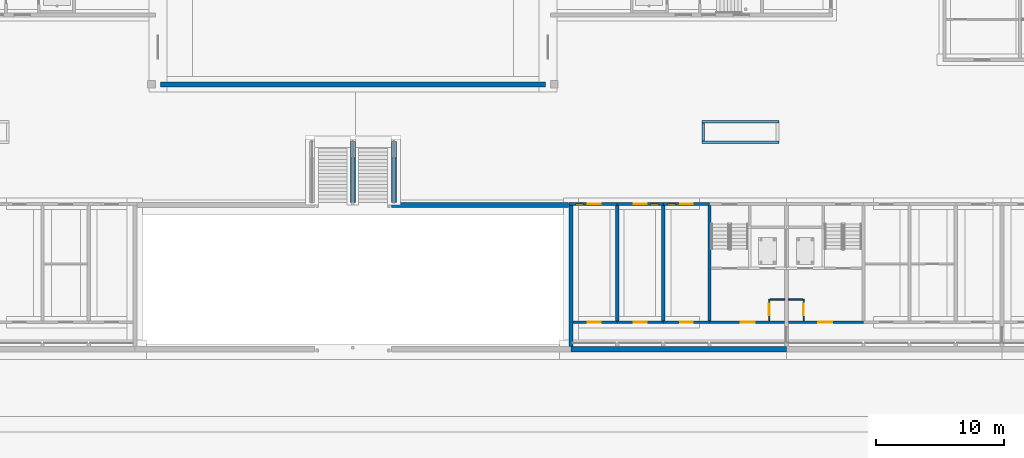
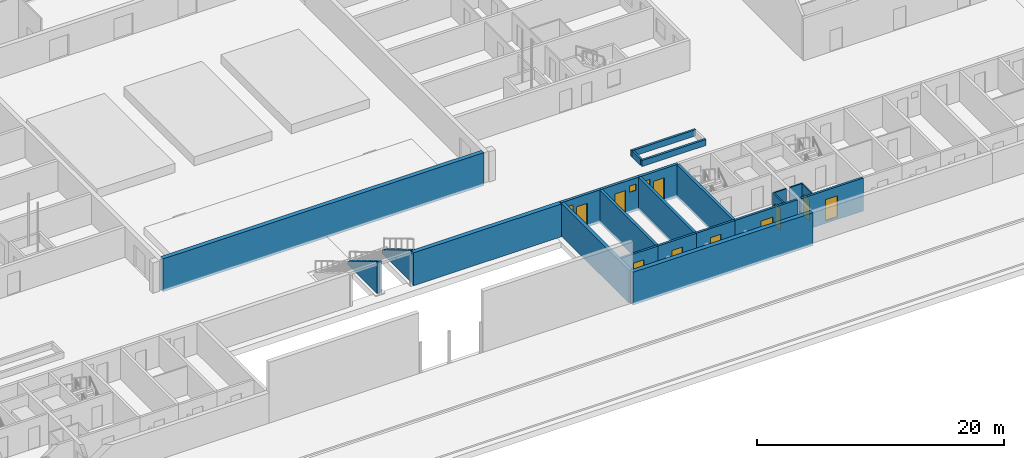
# One storey, part 54 of 112: 24 walls, 10 doors, 3 windows, 13 openings.
"""IFC4 building model written with IfcOpenShell, lengths in metres."""

from ifc_helpers import new_model, si_unit, direction, frame, frame_2d, origin, place, context, subcontext, project, spatial, polyline, rectangle, outline, extrude, material, layer, layer_set, type_object, element, fill, save


model = new_model("IFC4")

# Units and contexts
model_context = context("Model", 3, precision=1e-05, world=origin(), true_north=direction((0.0, 1.0)))
body_context = subcontext(model_context, "Body", "Model", "MODEL_VIEW")
ifc_project = project(units=[si_unit("LENGTHUNIT", "METRE"), si_unit("AREAUNIT", "SQUARE_METRE"), si_unit("VOLUMEUNIT", "CUBIC_METRE"), si_unit("PLANEANGLEUNIT", "RADIAN"), si_unit("MASSUNIT", "GRAM", prefix="KILO")], contexts=[model_context])

# Site, building, storey
site_placement = place(None, origin())
site = spatial("IfcSite", under=ifc_project, at=site_placement, CompositionType="ELEMENT")
building_placement = place(site_placement, origin())
building = spatial("IfcBuilding", under=site, at=building_placement, Name="Ridgestep Commons", CompositionType="ELEMENT")
storey_placement = place(building_placement, origin())
storey = spatial("IfcBuildingStorey", under=building, at=storey_placement, Name="L00", CompositionType="ELEMENT", Elevation=0.0)

# Walls
ifc_material_1 = material(Name="Concrete C30/37", Category="concrete")
ifc_layer_1 = layer(ifc_material_1, 0.199951171875)
ifc_layer_set_1 = layer_set([ifc_layer_1], Name="Community planter wall 200")
wall_type_1 = type_object("IfcWallType", Name="Community planter wall 200", PredefinedType="SOLIDWALL", material=ifc_layer_set_1)
for number, where, z_axis, x_axis, name in (
    (1, (157.0, 27.699951171875, 0.0), (0.0, 0.0, 1.0), (1.0, 0.0, 0.0), "Planter wall"),
    (2, (157.0, 29.300048828125, 0.0), (0.0, 0.0, 1.0), (1.0, 0.0, 0.0), "Planter wall"),
):
    element("IfcWall", number, at=place(storey_placement, frame(where, z_axis=z_axis, x_axis=x_axis)), inside=storey, type_object=wall_type_1, Name=name, PredefinedType="SOLIDWALL", context=body_context, shape_type="SweptSolid", body=[
        extrude(rectangle(XDim=6.0, YDim=0.199951171875, at=frame_2d((3.0, 0.0))), origin(), (0.0, 0.0, 1.0), 0.60009765625),
    ])
wall_1_placement = place(storey_placement, frame((157.10009765625, 27.800048828125, 0.0), z_axis=(0.0, 0.0, 1.0), x_axis=(0.0, 1.0, 0.0)))
element("IfcWall", 3, at=wall_1_placement, inside=storey, type_object=wall_type_1, Name="Planter wall", PredefinedType="SOLIDWALL", context=body_context, shape_type="SweptSolid", body=[
    extrude(rectangle(XDim=1.39990234375, YDim=0.199951171875, at=frame_2d((0.699951171875, 0.0))), origin(), (0.0, 0.0, 1.0), 0.60009765625),
])
ifc_material_2 = material(Name="Concrete C30/37", Category="concrete")
ifc_layer_2 = layer(ifc_material_2, 0.39990234375)
ifc_layer_set_2 = layer_set([ifc_layer_2], Name="Community retaining wall 400")
wall_type_2 = type_object("IfcWallType", Name="Community retaining wall 400", PredefinedType="SOLIDWALL", material=ifc_layer_set_2)
wall_2_placement = place(storey_placement, frame((132.800048828125, 22.800048828125, -0.25), z_axis=(0.0, 0.0, 1.0), x_axis=(1.0, 0.0, 0.0)))
element("IfcWall", 4, at=wall_2_placement, inside=storey, type_object=wall_type_2, Name="Community retaining wall 400", PredefinedType="SOLIDWALL", context=body_context, shape_type="SweptSolid", body=[
    extrude(rectangle(XDim=13.800048828125, YDim=0.39990234375, at=frame_2d((6.89990234375, 0.0))), origin(), (0.0, 0.0, 1.0), 3.25),
])
for number, where, z_axis, x_axis, name in (
    (5, (133.0, 23.0, -0.14990234375), (0.0, 0.0, 1.0), (0.0, 1.0, 0.0), "Stair cheek wall"),
    (6, (129.800048828125, 23.0, -0.14990234375), (0.0, 0.0, 1.0), (0.0, 1.0, 0.0), "Stair spine wall"),
):
    element("IfcWall", number, at=place(storey_placement, frame(where, z_axis=z_axis, x_axis=x_axis)), inside=storey, type_object=wall_type_2, Name=name, PredefinedType="SOLIDWALL", context=body_context, shape_type="SweptSolid", body=[
        extrude(outline(polyline([(0.0, 0.0), (4.760009765625, 0.0), (4.760009765625, 0.316650390625), (0.0, 3.14990234375), (0.0, 0.0)])), frame((0.0, 0.199951171875, 0.0), z_axis=(0.0, -1.0, 0.0), x_axis=(1.0, 0.0, 0.0)), (0.0, 0.0, 1.0), 0.39990234375),
    ])
ifc_material_3 = material(Name="Concrete C30/37", Category="concrete")
ifc_layer_3 = layer(ifc_material_3, 0.25)
ifc_layer_set_3 = layer_set([ifc_layer_3], Name="Core cross wall 250")
wall_type_3 = type_object("IfcWallType", Name="Core cross wall 250", PredefinedType="SHEAR", material=ifc_layer_set_3)
wall_3_placement = place(storey_placement, frame((157.60009765625, 13.75, -0.25), z_axis=(0.0, 0.0, 1.0), x_axis=(0.0, 1.0, 0.0)))
element("IfcWall", 7, at=wall_3_placement, inside=storey, type_object=wall_type_3, Name="Cross wall D-00-1576", PredefinedType="SHEAR", context=body_context, shape_type="SweptSolid", body=[
    extrude(rectangle(XDim=9.0, YDim=0.25, at=frame_2d((4.5, 0.0))), origin(), (0.0, 0.0, 1.0), 3.25),
])

# Wall, opening, door
ifc_material_4 = material(Name="Concrete C30/37", Category="concrete")
ifc_layer_4 = layer(ifc_material_4, 0.199951171875)
ifc_layer_set_4 = layer_set([ifc_layer_4], Name="Core south wall 200")
wall_type_4 = type_object("IfcWallType", Name="Core south wall 200", PredefinedType="SHEAR", material=ifc_layer_set_4)
wall_4_placement = place(storey_placement, frame((157.60009765625, 13.64990234375, -0.25), z_axis=(0.0, 0.0, 1.0), x_axis=(1.0, 0.0, 0.0)))
wall_4 = element("IfcWall", 8, at=wall_4_placement, inside=storey, type_object=wall_type_4, Name="Core south wall D1C L00", PredefinedType="SHEAR", context=body_context, shape_type="SweptSolid", body=[
    extrude(rectangle(XDim=5.849853515625, YDim=0.199951171875, at=frame_2d((2.9248046875, 0.0))), origin(), (0.0, 0.0, 1.0), 3.25),
])
opening_1_placement = place(wall_4_placement, frame((2.4375, 0.0, 0.25)))
opening_1 = element("IfcOpeningElement", 9, at=opening_1_placement, cuts=wall_4, Name="Opening D1C/00/1", PredefinedType="OPENING", context=body_context, shape_type="SweptSolid", body=[
    extrude(rectangle(XDim=1.10009765625, YDim=2.10009765625, at=frame_2d((0.550048828125, 1.050048828125))), frame((0.0, 0.10986328125, 0.0), z_axis=(0.0, -1.0, 0.0), x_axis=(1.0, 0.0, 0.0)), (0.0, 0.0, 1.0), 0.219970703125),
])
ifc_material_5 = material(Name="Steel fire door", Category="steel")
door_type_1 = type_object("IfcDoorType", Name="Lobby door 1100 x 2100 FD60", OperationType="NOTDEFINED", PredefinedType="DOOR", material=ifc_material_5)
door_1_placement = place(opening_1_placement, origin())
door_1 = element("IfcDoor", 10, at=door_1_placement, inside=storey, type_object=door_type_1, Name="Lobby door D1C/00/1", OperationType="SINGLE_SWING_LEFT", OverallHeight=2.10009765625, OverallWidth=1.10009765625, PredefinedType="DOOR", context=body_context, shape_type="SweptSolid", body=[
    extrude(rectangle(XDim=1.10009765625, YDim=2.10009765625, at=frame_2d((0.550048828125, 1.050048828125))), frame((0.0, 0.02490234375, 0.0), z_axis=(0.0, -1.0, 0.0), x_axis=(1.0, 0.0, 0.0)), (0.0, 0.0, 1.0), 0.050048828125),
])
fill(opening_1, door_1)

wall_5_placement = place(storey_placement, frame((163.75, 13.64990234375, -0.25), z_axis=(0.0, 0.0, 1.0), x_axis=(1.0, 0.0, 0.0)))
wall_5 = element("IfcWall", 11, at=wall_5_placement, inside=storey, type_object=wall_type_4, Name="Core south wall D2C L00", PredefinedType="SHEAR", context=body_context, shape_type="SweptSolid", body=[
    extrude(rectangle(XDim=5.85009765625, YDim=0.199951171875, at=frame_2d((2.925048828125, 0.0))), origin(), (0.0, 0.0, 1.0), 3.25),
])
opening_2_placement = place(wall_5_placement, frame((2.3125, 0.0, 0.25)))
opening_2 = element("IfcOpeningElement", 12, at=opening_2_placement, cuts=wall_5, Name="Opening D2C/00/1", PredefinedType="OPENING", context=body_context, shape_type="SweptSolid", body=[
    extrude(rectangle(XDim=1.10009765625, YDim=2.10009765625, at=frame_2d((0.550048828125, 1.050048828125))), frame((0.0, 0.10986328125, 0.0), z_axis=(0.0, -1.0, 0.0), x_axis=(1.0, 0.0, 0.0)), (0.0, 0.0, 1.0), 0.219970703125),
])
door_2_placement = place(opening_2_placement, origin())
door_2 = element("IfcDoor", 13, at=door_2_placement, inside=storey, type_object=door_type_1, Name="Lobby door D2C/00/1", OperationType="SINGLE_SWING_LEFT", OverallHeight=2.10009765625, OverallWidth=1.10009765625, PredefinedType="DOOR", context=body_context, shape_type="SweptSolid", body=[
    extrude(rectangle(XDim=1.10009765625, YDim=2.10009765625, at=frame_2d((0.550048828125, 1.050048828125))), frame((0.0, 0.02490234375, 0.0), z_axis=(0.0, -1.0, 0.0), x_axis=(1.0, 0.0, 0.0)), (0.0, 0.0, 1.0), 0.050048828125),
])
fill(opening_2, door_2)

ifc_material_6 = material(Name="Concrete C30/37", Category="concrete")
ifc_layer_5 = layer(ifc_material_6, 0.1201171875)
ifc_layer_set_5 = layer_set([ifc_layer_5], Name="Core wall 120")
wall_type_5 = type_object("IfcWallType", Name="Core wall 120", PredefinedType="SHEAR", material=ifc_layer_set_5)
wall_6_placement = place(storey_placement, frame((162.260009765625, 13.75, -0.25), z_axis=(0.0, 0.0, 1.0), x_axis=(0.0, 1.0, 0.0)))
wall_6 = element("IfcWall", 14, at=wall_6_placement, inside=storey, type_object=wall_type_5, Name="Core riser w wall D1C L00", PredefinedType="SHEAR", context=body_context, shape_type="SweptSolid", body=[
    extrude(rectangle(XDim=1.719970703125, YDim=0.1201171875, at=frame_2d((0.85986328125, 0.0))), origin(), (0.0, 0.0, 1.0), 3.25),
])
opening_3_placement = place(wall_6_placement, frame((0.449951171875, 0.0, 0.25)))
opening_3 = element("IfcOpeningElement", 15, at=opening_3_placement, cuts=wall_6, Name="Opening D1C/00/4", PredefinedType="OPENING", context=body_context, shape_type="SweptSolid", body=[
    extrude(rectangle(XDim=0.89990234375, YDim=2.10009765625, at=frame_2d((0.449951171875, 1.050048828125))), frame((0.0, 0.070068359375, 0.0), z_axis=(0.0, -1.0, 0.0), x_axis=(1.0, 0.0, 0.0)), (0.0, 0.0, 1.0), 0.14013671875),
])
ifc_material_7 = material(Name="Steel fire door", Category="steel")
door_type_2 = type_object("IfcDoorType", Name="Riser door 900 x 2100 FD60", OperationType="NOTDEFINED", PredefinedType="DOOR", material=ifc_material_7)
door_3_placement = place(opening_3_placement, origin())
door_3 = element("IfcDoor", 16, at=door_3_placement, inside=storey, type_object=door_type_2, Name="Riser door D1C/00/4", OperationType="SINGLE_SWING_LEFT", OverallHeight=2.10009765625, OverallWidth=0.89990234375, PredefinedType="DOOR", context=body_context, shape_type="SweptSolid", body=[
    extrude(rectangle(XDim=0.89990234375, YDim=2.10009765625, at=frame_2d((0.449951171875, 1.050048828125))), frame((0.0, 0.02490234375, 0.0), z_axis=(0.0, -1.0, 0.0), x_axis=(1.0, 0.0, 0.0)), (0.0, 0.0, 1.0), 0.050048828125),
])
fill(opening_3, door_3)

# Wall
wall_7_placement = place(storey_placement, frame((162.320068359375, 15.409912109375, -0.25), z_axis=(0.0, 0.0, 1.0), x_axis=(1.0, 0.0, 0.0)))
element("IfcWall", 17, at=wall_7_placement, inside=storey, type_object=wall_type_5, Name="Core riser n wall D1C L00", PredefinedType="SHEAR", context=body_context, shape_type="SweptSolid", body=[
    extrude(rectangle(XDim=1.1298828125, YDim=0.1201171875, at=frame_2d((0.56494140625, 0.0))), origin(), (0.0, 0.0, 1.0), 3.25),
])

# Wall, opening, door
wall_8_placement = place(storey_placement, frame((164.93994140625, 13.75, -0.25), z_axis=(0.0, 0.0, 1.0), x_axis=(0.0, 1.0, 0.0)))
wall_8 = element("IfcWall", 18, at=wall_8_placement, inside=storey, type_object=wall_type_5, Name="Core riser w wall D2C L00", PredefinedType="SHEAR", context=body_context, shape_type="SweptSolid", body=[
    extrude(rectangle(XDim=1.719970703125, YDim=0.1201171875, at=frame_2d((0.85986328125, 0.0))), origin(), (0.0, 0.0, 1.0), 3.25),
])
opening_4_placement = place(wall_8_placement, frame((0.449951171875, 0.0, 0.25)))
opening_4 = element("IfcOpeningElement", 19, at=opening_4_placement, cuts=wall_8, Name="Opening D2C/00/4", PredefinedType="OPENING", context=body_context, shape_type="SweptSolid", body=[
    extrude(rectangle(XDim=0.89990234375, YDim=2.10009765625, at=frame_2d((0.449951171875, 1.050048828125))), frame((0.0, 0.070068359375, 0.0), z_axis=(0.0, -1.0, 0.0), x_axis=(1.0, 0.0, 0.0)), (0.0, 0.0, 1.0), 0.14013671875),
])
door_4_placement = place(opening_4_placement, origin())
door_4 = element("IfcDoor", 20, at=door_4_placement, inside=storey, type_object=door_type_2, Name="Riser door D2C/00/4", OperationType="SINGLE_SWING_RIGHT", OverallHeight=2.10009765625, OverallWidth=0.89990234375, PredefinedType="DOOR", context=body_context, shape_type="SweptSolid", body=[
    extrude(rectangle(XDim=0.89990234375, YDim=2.10009765625, at=frame_2d((0.449951171875, 1.050048828125))), frame((0.0, 0.02490234375, 0.0), z_axis=(0.0, -1.0, 0.0), x_axis=(1.0, 0.0, 0.0)), (0.0, 0.0, 1.0), 0.050048828125),
])
fill(opening_4, door_4)

# Walls
wall_9_placement = place(storey_placement, frame((163.75, 15.409912109375, -0.25), z_axis=(0.0, 0.0, 1.0), x_axis=(1.0, 0.0, 0.0)))
element("IfcWall", 21, at=wall_9_placement, inside=storey, type_object=wall_type_5, Name="Core riser n wall D2C L00", PredefinedType="SHEAR", context=body_context, shape_type="SweptSolid", body=[
    extrude(rectangle(XDim=1.1298828125, YDim=0.1201171875, at=frame_2d((0.56494140625, 0.0))), origin(), (0.0, 0.0, 1.0), 3.25),
])
ifc_material_8 = material(Name="Precast concrete C40/50", Category="concrete")
ifc_layer_6 = layer(ifc_material_8, 0.25)
ifc_layer_set_6 = layer_set([ifc_layer_6], Name="Cross wall 250")
wall_type_6 = type_object("IfcWallType", Name="Cross wall 250", PredefinedType="SHEAR", material=ifc_layer_set_6)
for number, where, z_axis, x_axis, name in (
    (22, (150.39990234375, 13.75, -0.25), (0.0, 0.0, 1.0), (0.0, 1.0, 0.0), "Cross wall D-00-1504"),
    (23, (154.0, 13.75, -0.25), (0.0, 0.0, 1.0), (0.0, 1.0, 0.0), "Cross wall D-00-1540"),
):
    element("IfcWall", number, at=place(storey_placement, frame(where, z_axis=z_axis, x_axis=x_axis)), inside=storey, type_object=wall_type_6, Name=name, PredefinedType="SHEAR", context=body_context, shape_type="SweptSolid", body=[
        extrude(rectangle(XDim=9.0, YDim=0.25, at=frame_2d((4.5, 0.0))), origin(), (0.0, 0.0, 1.0), 3.25),
    ])
ifc_material_9 = material(Name="Precast concrete C40/50", Category="concrete")
ifc_layer_7 = layer(ifc_material_9, 0.300048828125)
ifc_layer_set_7 = layer_set([ifc_layer_7], Name="Exposed division wall 300")
wall_type_7 = type_object("IfcWallType", Name="Exposed division wall 300", PredefinedType="SHEAR", material=ifc_layer_set_7)
wall_10_placement = place(storey_placement, frame((146.800048828125, 11.75, -0.25), z_axis=(0.0, 0.0, 1.0), x_axis=(0.0, 1.0, 0.0)))
element("IfcWall", 24, at=wall_10_placement, inside=storey, type_object=wall_type_7, Name="Cross wall D-00-1468", PredefinedType="SHEAR", context=body_context, shape_type="SweptSolid", body=[
    extrude(rectangle(XDim=11.0, YDim=0.300048828125, at=frame_2d((5.5, 0.0))), origin(), (0.0, 0.0, 1.0), 3.25),
])
ifc_material_10 = material(Name="Precast concrete C40/50", Category="concrete")
ifc_layer_8 = layer(ifc_material_10, 0.39990234375)
ifc_layer_set_8 = layer_set([ifc_layer_8], Name="Hall wall 400")
wall_type_8 = type_object("IfcWallType", Name="Hall wall 400", PredefinedType="SOLIDWALL", material=ifc_layer_set_8)
wall_11_placement = place(storey_placement, frame((114.800048828125, 32.199951171875, -0.25), z_axis=(0.0, 0.0, 1.0), x_axis=(1.0, 0.0, 0.0)))
element("IfcWall", 25, at=wall_11_placement, inside=storey, type_object=wall_type_8, Name="Hall wall 400", PredefinedType="SOLIDWALL", context=body_context, shape_type="SweptSolid", body=[
    extrude(rectangle(XDim=30.0, YDim=0.39990234375, at=frame_2d((15.0, 0.0))), origin(), (0.0, 0.0, 1.0), 3.25),
])

# Wall, openings, door, window
ifc_material_11 = material(Name="Precast concrete C40/50", Category="concrete")
ifc_layer_9 = layer(ifc_material_11, 0.25)
ifc_layer_set_9 = layer_set([ifc_layer_9], Name="North facade panel 250")
wall_type_9 = type_object("IfcWallType", Name="North facade panel 250", PredefinedType="SOLIDWALL", material=ifc_layer_set_9)
wall_12_placement = place(storey_placement, frame((146.64990234375, 22.875, -0.25), z_axis=(0.0, 0.0, 1.0), x_axis=(1.0, 0.0, 0.0)))
wall_12 = element("IfcWall", 26, at=wall_12_placement, inside=storey, type_object=wall_type_9, Name="North panel D1T1 L00", PredefinedType="SOLIDWALL", context=body_context, shape_type="SweptSolid", body=[
    extrude(rectangle(XDim=3.75, YDim=0.25, at=frame_2d((1.875, 0.0))), origin(), (0.0, 0.0, 1.0), 3.25),
])
opening_5_placement = place(wall_12_placement, frame((0.53125, 0.0, 2.050048828125)))
opening_5 = element("IfcOpeningElement", 27, at=opening_5_placement, cuts=wall_12, Name="Opening W01", PredefinedType="OPENING", context=body_context, shape_type="SweptSolid", body=[
    extrude(rectangle(XDim=0.60009765625, YDim=0.60009765625, at=frame_2d((0.300048828125, 0.300048828125))), frame((0.0, 0.135009765625, 0.0), z_axis=(0.0, -1.0, 0.0), x_axis=(1.0, 0.0, 0.0)), (0.0, 0.0, 1.0), 0.27001953125),
])
opening_6_placement = place(wall_12_placement, frame((1.46240234375, 0.0, 0.25)))
opening_6 = element("IfcOpeningElement", 28, at=opening_6_placement, cuts=wall_12, Name="Opening D1-00p/2", PredefinedType="OPENING", context=body_context, shape_type="SweptSolid", body=[
    extrude(rectangle(XDim=1.0, YDim=2.10009765625, at=frame_2d((0.5, 1.050048828125))), frame((0.0, 0.135009765625, 0.0), z_axis=(0.0, -1.0, 0.0), x_axis=(1.0, 0.0, 0.0)), (0.0, 0.0, 1.0), 0.27001953125),
])
ifc_material_12 = material(Name="Steel door leaf", Category="steel")
door_type_3 = type_object("IfcDoorType", Name="Exterior door 1000 x 2100", OperationType="NOTDEFINED", PredefinedType="DOOR", material=ifc_material_12)
door_5_placement = place(opening_6_placement, origin())
door_5 = element("IfcDoor", 29, at=door_5_placement, inside=storey, type_object=door_type_3, Name="Exterior door D1-00p/2", OperationType="SINGLE_SWING_LEFT", OverallHeight=2.10009765625, OverallWidth=1.0, PredefinedType="DOOR", context=body_context, shape_type="SweptSolid", body=[
    extrude(rectangle(XDim=1.0, YDim=2.10009765625, at=frame_2d((0.5, 1.050048828125))), frame((0.0, 0.02490234375, 0.0), z_axis=(0.0, -1.0, 0.0), x_axis=(1.0, 0.0, 0.0)), (0.0, 0.0, 1.0), 0.050048828125),
])
fill(opening_6, door_5)
ifc_material_13 = material(Name="Aluminium 6063-T6 and glass", Category="aluminium")
window_type = type_object("IfcWindowType", Name="Flat window 600 x 600", PartitioningType="SINGLE_PANEL", PredefinedType="WINDOW", material=ifc_material_13)
window_1_placement = place(opening_5_placement, origin())
window_1 = element("IfcWindow", 30, at=window_1_placement, inside=storey, type_object=window_type, Name="Window D1-00p 2", OverallHeight=0.60009765625, OverallWidth=0.60009765625, PartitioningType="SINGLE_PANEL", PredefinedType="WINDOW", context=body_context, shape_type="SweptSolid", body=[
    extrude(rectangle(XDim=0.60009765625, YDim=0.60009765625, at=frame_2d((0.300048828125, 0.300048828125))), frame((0.0, -0.02490234375, 0.0), z_axis=(0.0, -1.0, 0.0), x_axis=(1.0, 0.0, 0.0)), (0.0, 0.0, 1.0), 0.06005859375),
])
fill(opening_5, window_1)

wall_13_placement = place(storey_placement, frame((150.39990234375, 22.875, -0.25), z_axis=(0.0, 0.0, 1.0), x_axis=(1.0, 0.0, 0.0)))
wall_13 = element("IfcWall", 31, at=wall_13_placement, inside=storey, type_object=wall_type_9, Name="North panel D1T2 L00", PredefinedType="SOLIDWALL", context=body_context, shape_type="SweptSolid", body=[
    extrude(rectangle(XDim=3.60009765625, YDim=0.25, at=frame_2d((1.800048828125, 0.0))), origin(), (0.0, 0.0, 1.0), 3.25),
])
opening_7_placement = place(wall_13_placement, frame((2.637451171875, 0.0, 2.050048828125)))
opening_7 = element("IfcOpeningElement", 32, at=opening_7_placement, cuts=wall_13, Name="Opening W01", PredefinedType="OPENING", context=body_context, shape_type="SweptSolid", body=[
    extrude(rectangle(XDim=0.60009765625, YDim=0.60009765625, at=frame_2d((0.300048828125, 0.300048828125))), frame((0.0, 0.135009765625, 0.0), z_axis=(0.0, -1.0, 0.0), x_axis=(1.0, 0.0, 0.0)), (0.0, 0.0, 1.0), 0.27001953125),
])
opening_8_placement = place(wall_13_placement, frame((1.300048828125, 0.0, 0.25)))
opening_8 = element("IfcOpeningElement", 33, at=opening_8_placement, cuts=wall_13, Name="Opening D1-00p/4", PredefinedType="OPENING", context=body_context, shape_type="SweptSolid", body=[
    extrude(rectangle(XDim=1.0, YDim=2.10009765625, at=frame_2d((0.5, 1.050048828125))), frame((0.0, 0.135009765625, 0.0), z_axis=(0.0, -1.0, 0.0), x_axis=(1.0, 0.0, 0.0)), (0.0, 0.0, 1.0), 0.27001953125),
])
door_6_placement = place(opening_8_placement, origin())
door_6 = element("IfcDoor", 34, at=door_6_placement, inside=storey, type_object=door_type_3, Name="Exterior door D1-00p/4", OperationType="SINGLE_SWING_LEFT", OverallHeight=2.10009765625, OverallWidth=1.0, PredefinedType="DOOR", context=body_context, shape_type="SweptSolid", body=[
    extrude(rectangle(XDim=1.0, YDim=2.10009765625, at=frame_2d((0.5, 1.050048828125))), frame((0.0, 0.02490234375, 0.0), z_axis=(0.0, -1.0, 0.0), x_axis=(1.0, 0.0, 0.0)), (0.0, 0.0, 1.0), 0.050048828125),
])
fill(opening_8, door_6)
window_2_placement = place(opening_7_placement, origin())
window_2 = element("IfcWindow", 35, at=window_2_placement, inside=storey, type_object=window_type, Name="Window D1-00p 4", OverallHeight=0.60009765625, OverallWidth=0.60009765625, PartitioningType="SINGLE_PANEL", PredefinedType="WINDOW", context=body_context, shape_type="SweptSolid", body=[
    extrude(rectangle(XDim=0.60009765625, YDim=0.60009765625, at=frame_2d((0.300048828125, 0.300048828125))), frame((0.0, -0.02490234375, 0.0), z_axis=(0.0, -1.0, 0.0), x_axis=(1.0, 0.0, 0.0)), (0.0, 0.0, 1.0), 0.06005859375),
])
fill(opening_7, window_2)

wall_14_placement = place(storey_placement, frame((154.0, 22.875, -0.25), z_axis=(0.0, 0.0, 1.0), x_axis=(1.0, 0.0, 0.0)))
wall_14 = element("IfcWall", 36, at=wall_14_placement, inside=storey, type_object=wall_type_9, Name="North panel D1T3 L00", PredefinedType="SOLIDWALL", context=body_context, shape_type="SweptSolid", body=[
    extrude(rectangle(XDim=3.60009765625, YDim=0.25, at=frame_2d((1.800048828125, 0.0))), origin(), (0.0, 0.0, 1.0), 3.25),
])
opening_9_placement = place(wall_14_placement, frame((0.362548828125, 0.0, 2.050048828125)))
opening_9 = element("IfcOpeningElement", 37, at=opening_9_placement, cuts=wall_14, Name="Opening W01", PredefinedType="OPENING", context=body_context, shape_type="SweptSolid", body=[
    extrude(rectangle(XDim=0.60009765625, YDim=0.60009765625, at=frame_2d((0.300048828125, 0.300048828125))), frame((0.0, 0.135009765625, 0.0), z_axis=(0.0, -1.0, 0.0), x_axis=(1.0, 0.0, 0.0)), (0.0, 0.0, 1.0), 0.27001953125),
])
opening_10_placement = place(wall_14_placement, frame((1.300048828125, 0.0, 0.25)))
opening_10 = element("IfcOpeningElement", 38, at=opening_10_placement, cuts=wall_14, Name="Opening D1-00p/6", PredefinedType="OPENING", context=body_context, shape_type="SweptSolid", body=[
    extrude(rectangle(XDim=1.0, YDim=2.10009765625, at=frame_2d((0.5, 1.050048828125))), frame((0.0, 0.135009765625, 0.0), z_axis=(0.0, -1.0, 0.0), x_axis=(1.0, 0.0, 0.0)), (0.0, 0.0, 1.0), 0.27001953125),
])
door_7_placement = place(opening_10_placement, origin())
door_7 = element("IfcDoor", 39, at=door_7_placement, inside=storey, type_object=door_type_3, Name="Exterior door D1-00p/6", OperationType="SINGLE_SWING_LEFT", OverallHeight=2.10009765625, OverallWidth=1.0, PredefinedType="DOOR", context=body_context, shape_type="SweptSolid", body=[
    extrude(rectangle(XDim=1.0, YDim=2.10009765625, at=frame_2d((0.5, 1.050048828125))), frame((0.0, 0.02490234375, 0.0), z_axis=(0.0, -1.0, 0.0), x_axis=(1.0, 0.0, 0.0)), (0.0, 0.0, 1.0), 0.050048828125),
])
fill(opening_10, door_7)
window_3_placement = place(opening_9_placement, origin())
window_3 = element("IfcWindow", 40, at=window_3_placement, inside=storey, type_object=window_type, Name="Window D1-00p 6", OverallHeight=0.60009765625, OverallWidth=0.60009765625, PartitioningType="SINGLE_PANEL", PredefinedType="WINDOW", context=body_context, shape_type="SweptSolid", body=[
    extrude(rectangle(XDim=0.60009765625, YDim=0.60009765625, at=frame_2d((0.300048828125, 0.300048828125))), frame((0.0, -0.02490234375, 0.0), z_axis=(0.0, -1.0, 0.0), x_axis=(1.0, 0.0, 0.0)), (0.0, 0.0, 1.0), 0.06005859375),
])
fill(opening_9, window_3)

# Wall
ifc_material_14 = material(Name="Concrete C30/37", Category="concrete")
ifc_layer_10 = layer(ifc_material_14, 0.39990234375)
ifc_layer_set_10 = layer_set([ifc_layer_10], Name="Plinth retaining wall 400")
wall_type_10 = type_object("IfcWallType", Name="Plinth retaining wall 400", PredefinedType="SOLIDWALL", material=ifc_layer_set_10)
wall_15_placement = place(storey_placement, frame((146.800048828125, 11.550048828125, -0.25), z_axis=(0.0, 0.0, 1.0), x_axis=(1.0, 0.0, 0.0)))
element("IfcWall", 41, at=wall_15_placement, inside=storey, type_object=wall_type_10, Name="Plinth retaining wall D1 L00", PredefinedType="SOLIDWALL", context=body_context, shape_type="SweptSolid", body=[
    extrude(rectangle(XDim=16.800048828125, YDim=0.39990234375, at=frame_2d((8.39990234375, 0.0))), origin(), (0.0, 0.0, 1.0), 3.25),
])

# Wall, opening, door
ifc_material_15 = material(Name="Precast concrete C40/50", Category="concrete")
ifc_layer_11 = layer(ifc_material_15, 0.199951171875)
ifc_layer_set_11 = layer_set([ifc_layer_11], Name="South facade panel 200")
wall_type_11 = type_object("IfcWallType", Name="South facade panel 200", PredefinedType="SOLIDWALL", material=ifc_layer_set_11)
wall_16_placement = place(storey_placement, frame((146.949951171875, 13.64990234375, -0.25), z_axis=(0.0, 0.0, 1.0), x_axis=(1.0, 0.0, 0.0)))
wall_16 = element("IfcWall", 42, at=wall_16_placement, inside=storey, type_object=wall_type_11, Name="South panel D1T1 L00", PredefinedType="SOLIDWALL", context=body_context, shape_type="SweptSolid", body=[
    extrude(rectangle(XDim=3.449951171875, YDim=0.199951171875, at=frame_2d((1.72509765625, 0.0))), origin(), (0.0, 0.0, 1.0), 3.25),
])
opening_11_placement = place(wall_16_placement, frame((1.16259765625, 0.0, 0.25)))
opening_11 = element("IfcOpeningElement", 43, at=opening_11_placement, cuts=wall_16, Name="Opening D1-00p/1", PredefinedType="OPENING", context=body_context, shape_type="SweptSolid", body=[
    extrude(rectangle(XDim=1.0, YDim=2.10009765625, at=frame_2d((0.5, 1.050048828125))), frame((0.0, 0.10986328125, 0.0), z_axis=(0.0, -1.0, 0.0), x_axis=(1.0, 0.0, 0.0)), (0.0, 0.0, 1.0), 0.219970703125),
])
ifc_material_16 = material(Name="Steel door leaf", Category="steel")
door_type_4 = type_object("IfcDoorType", Name="Store door 1000 x 2100", OperationType="NOTDEFINED", PredefinedType="DOOR", material=ifc_material_16)
door_8_placement = place(opening_11_placement, origin())
door_8 = element("IfcDoor", 44, at=door_8_placement, inside=storey, type_object=door_type_4, Name="Store door D1-00p/1", OperationType="SINGLE_SWING_RIGHT", OverallHeight=2.10009765625, OverallWidth=1.0, PredefinedType="DOOR", context=body_context, shape_type="SweptSolid", body=[
    extrude(rectangle(XDim=1.0, YDim=2.10009765625, at=frame_2d((0.5, 1.050048828125))), frame((0.0, 0.02490234375, 0.0), z_axis=(0.0, -1.0, 0.0), x_axis=(1.0, 0.0, 0.0)), (0.0, 0.0, 1.0), 0.050048828125),
])
fill(opening_11, door_8)

wall_17_placement = place(storey_placement, frame((150.39990234375, 13.64990234375, -0.25), z_axis=(0.0, 0.0, 1.0), x_axis=(1.0, 0.0, 0.0)))
wall_17 = element("IfcWall", 45, at=wall_17_placement, inside=storey, type_object=wall_type_11, Name="South panel D1T2 L00", PredefinedType="SOLIDWALL", context=body_context, shape_type="SweptSolid", body=[
    extrude(rectangle(XDim=3.60009765625, YDim=0.199951171875, at=frame_2d((1.800048828125, 0.0))), origin(), (0.0, 0.0, 1.0), 3.25),
])
opening_12_placement = place(wall_17_placement, frame((1.300048828125, 0.0, 0.25)))
opening_12 = element("IfcOpeningElement", 46, at=opening_12_placement, cuts=wall_17, Name="Opening D1-00p/3", PredefinedType="OPENING", context=body_context, shape_type="SweptSolid", body=[
    extrude(rectangle(XDim=1.0, YDim=2.10009765625, at=frame_2d((0.5, 1.050048828125))), frame((0.0, 0.10986328125, 0.0), z_axis=(0.0, -1.0, 0.0), x_axis=(1.0, 0.0, 0.0)), (0.0, 0.0, 1.0), 0.219970703125),
])
door_9_placement = place(opening_12_placement, origin())
door_9 = element("IfcDoor", 47, at=door_9_placement, inside=storey, type_object=door_type_4, Name="Store door D1-00p/3", OperationType="SINGLE_SWING_RIGHT", OverallHeight=2.10009765625, OverallWidth=1.0, PredefinedType="DOOR", context=body_context, shape_type="SweptSolid", body=[
    extrude(rectangle(XDim=1.0, YDim=2.10009765625, at=frame_2d((0.5, 1.050048828125))), frame((0.0, 0.02490234375, 0.0), z_axis=(0.0, -1.0, 0.0), x_axis=(1.0, 0.0, 0.0)), (0.0, 0.0, 1.0), 0.050048828125),
])
fill(opening_12, door_9)

wall_18_placement = place(storey_placement, frame((154.0, 13.64990234375, -0.25), z_axis=(0.0, 0.0, 1.0), x_axis=(1.0, 0.0, 0.0)))
wall_18 = element("IfcWall", 48, at=wall_18_placement, inside=storey, type_object=wall_type_11, Name="South panel D1T3 L00", PredefinedType="SOLIDWALL", context=body_context, shape_type="SweptSolid", body=[
    extrude(rectangle(XDim=3.60009765625, YDim=0.199951171875, at=frame_2d((1.800048828125, 0.0))), origin(), (0.0, 0.0, 1.0), 3.25),
])
opening_13_placement = place(wall_18_placement, frame((1.300048828125, 0.0, 0.25)))
opening_13 = element("IfcOpeningElement", 49, at=opening_13_placement, cuts=wall_18, Name="Opening D1-00p/5", PredefinedType="OPENING", context=body_context, shape_type="SweptSolid", body=[
    extrude(rectangle(XDim=1.0, YDim=2.10009765625, at=frame_2d((0.5, 1.050048828125))), frame((0.0, 0.10986328125, 0.0), z_axis=(0.0, -1.0, 0.0), x_axis=(1.0, 0.0, 0.0)), (0.0, 0.0, 1.0), 0.219970703125),
])
door_10_placement = place(opening_13_placement, origin())
door_10 = element("IfcDoor", 50, at=door_10_placement, inside=storey, type_object=door_type_4, Name="Store door D1-00p/5", OperationType="SINGLE_SWING_RIGHT", OverallHeight=2.10009765625, OverallWidth=1.0, PredefinedType="DOOR", context=body_context, shape_type="SweptSolid", body=[
    extrude(rectangle(XDim=1.0, YDim=2.10009765625, at=frame_2d((0.5, 1.050048828125))), frame((0.0, 0.02490234375, 0.0), z_axis=(0.0, -1.0, 0.0), x_axis=(1.0, 0.0, 0.0)), (0.0, 0.0, 1.0), 0.050048828125),
])
fill(opening_13, door_10)

save(model, "model.ifc")
